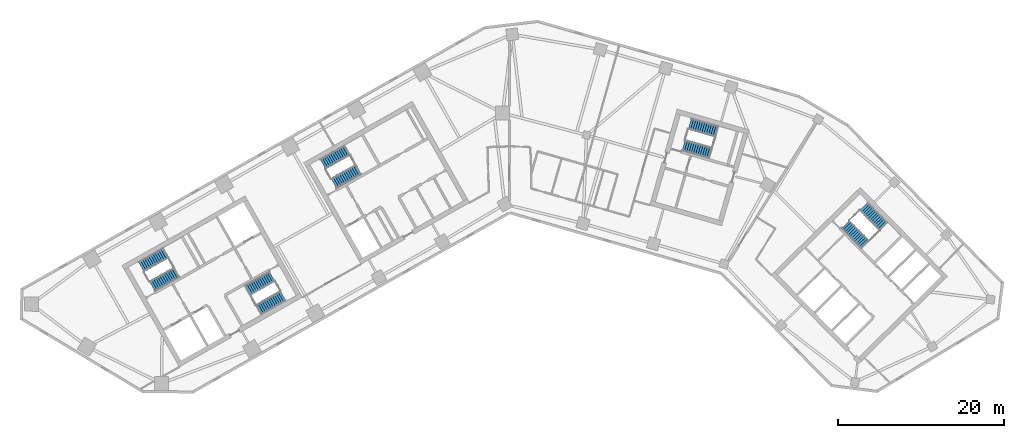
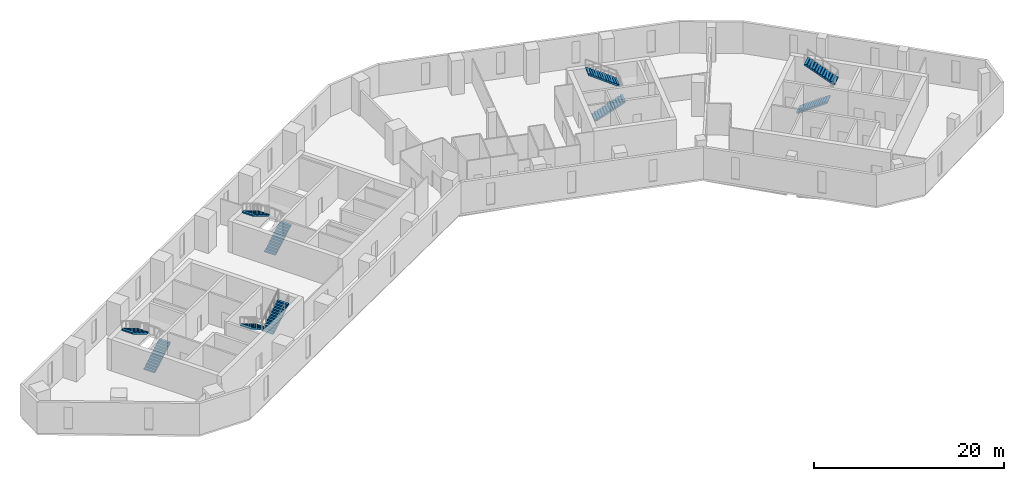
# One storey, part 8 of 10: 10 stair flights, 5 elements without a shape of their own.
"""IFC4 building model written with IfcOpenShell, lengths in metres."""

from ifc_helpers import new_model, si_unit, direction, frame, origin, place, context, subcontext, project, spatial, polyline, outline, extrude, material, type_object, element, aggregate, save


model = new_model("IFC4")

# Units and contexts
model_context = context("Model", 3, precision=1e-05, world=origin(), true_north=direction((0.0, 1.0)))
body_context = subcontext(model_context, "Body", "Model", "MODEL_VIEW")
ifc_project = project(units=[si_unit("LENGTHUNIT", "METRE"), si_unit("AREAUNIT", "SQUARE_METRE"), si_unit("VOLUMEUNIT", "CUBIC_METRE"), si_unit("PLANEANGLEUNIT", "RADIAN"), si_unit("MASSUNIT", "GRAM", prefix="KILO")], contexts=[model_context])

# Site, building, storey
site_placement = place(None, origin())
site = spatial("IfcSite", under=ifc_project, at=site_placement, CompositionType="ELEMENT")
building_placement = place(site_placement, origin())
building = spatial("IfcBuilding", under=site, at=building_placement, Name="Binnacle Exchange Tower", CompositionType="ELEMENT")
storey_placement = place(building_placement, frame((0.0, 0.0, 145.5)))
storey = spatial("IfcBuildingStorey", under=building, at=storey_placement, Name="L30", CompositionType="ELEMENT", Elevation=145.5)

# Stair, stair flights
ifc_material = material(Name="Concrete C35/45", Category="concrete")
stair_type = type_object("IfcStairType", Name="STAIR 26 RISERS 169", PredefinedType="HALF_TURN_STAIR", material=ifc_material)
stair_1_placement = place(storey_placement, origin())
stair_1 = element("IfcStair", 1, at=stair_1_placement, inside=storey, type_object=stair_type, Name="L30 Escape stair A1", PredefinedType="HALF_TURN_STAIR")
stair_flight_type = type_object("IfcStairFlightType", Name="STAIR FLIGHT 169X280", PredefinedType="STRAIGHT", material=ifc_material)
stair_flight_1_placement = place(storey_placement, frame((-42.9541015625, 39.17333984375, 0.0), z_axis=(0.0, 0.0, 1.0), x_axis=(0.870355584213, 0.492423757581, 0.0)))
stair_flight_1 = element("IfcStairFlight", 2, at=stair_flight_1_placement, type_object=stair_flight_type, Name="STA1 flight 1", NumberOfRisers=13, NumberOfTreads=12, PredefinedType="STRAIGHT", RiserHeight=0.169230769, TreadLength=0.28, context=body_context, shape_type="SweptSolid", body=[
    extrude(outline(polyline([(0.0, 0.0), (0.0, 0.169189453125), (0.280029296875, 0.169189453125), (0.280029296875, 0.33837890625), (0.56005859375, 0.33837890625), (0.56005859375, 0.5078125), (0.840087890625, 0.5078125), (0.840087890625, 0.677001953125), (1.1201171875, 0.677001953125), (1.1201171875, 0.84619140625), (1.39990234375, 0.84619140625), (1.39990234375, 1.015380859375), (1.679931640625, 1.015380859375), (1.679931640625, 1.1845703125), (1.9599609375, 1.1845703125), (1.9599609375, 1.353759765625), (2.239990234375, 1.353759765625), (2.239990234375, 1.523193359375), (2.52001953125, 1.523193359375), (2.52001953125, 1.6923828125), (2.800048828125, 1.6923828125), (2.800048828125, 1.861572265625), (3.080078125, 1.861572265625), (3.080078125, 2.03076171875), (3.360107421875, 2.03076171875), (3.360107421875, 2.199951171875), (3.360107421875, 1.855712890625), (0.289794921875, 0.0), (0.0, 0.0)])), frame((0.0, 0.675048828125, 0.0), z_axis=(0.0, -1.0, 0.0), x_axis=(1.0, 0.0, 0.0)), (0.0, 0.0, 1.0), 1.35009765625),
])
stair_flight_2_placement = place(storey_placement, frame((-41.359130859375, 43.177978515625, 2.199951171875), z_axis=(0.0, 0.0, 1.0), x_axis=(-0.870355584213, -0.492423757581, 0.0)))
stair_flight_2 = element("IfcStairFlight", 3, at=stair_flight_2_placement, type_object=stair_flight_type, Name="STA1 flight 2", NumberOfRisers=13, NumberOfTreads=12, PredefinedType="STRAIGHT", RiserHeight=0.169230769, TreadLength=0.28, context=body_context, shape_type="SweptSolid", body=[
    extrude(outline(polyline([(0.0, 0.0), (0.0, 0.169189453125), (0.280029296875, 0.169189453125), (0.280029296875, 0.33837890625), (0.56005859375, 0.33837890625), (0.56005859375, 0.5078125), (0.840087890625, 0.5078125), (0.840087890625, 0.677001953125), (1.1201171875, 0.677001953125), (1.1201171875, 0.84619140625), (1.39990234375, 0.84619140625), (1.39990234375, 1.015380859375), (1.679931640625, 1.015380859375), (1.679931640625, 1.1845703125), (1.9599609375, 1.1845703125), (1.9599609375, 1.353759765625), (2.239990234375, 1.353759765625), (2.239990234375, 1.523193359375), (2.52001953125, 1.523193359375), (2.52001953125, 1.6923828125), (2.800048828125, 1.6923828125), (2.800048828125, 1.861572265625), (3.080078125, 1.861572265625), (3.080078125, 2.03076171875), (3.360107421875, 2.03076171875), (3.360107421875, 2.199951171875), (3.360107421875, 1.855712890625), (0.289794921875, 0.0), (0.0, 0.0)])), frame((0.0, 0.675048828125, 0.0), z_axis=(0.0, -1.0, 0.0), x_axis=(1.0, 0.0, 0.0)), (0.0, 0.0, 1.0), 1.35009765625),
])
aggregate(stair_1, [stair_flight_1, stair_flight_2])

stair_2_placement = place(storey_placement, origin())
stair_2 = element("IfcStair", 4, at=stair_2_placement, inside=storey, type_object=stair_type, Name="L30 Escape stair A2", PredefinedType="HALF_TURN_STAIR")
stair_flight_3_placement = place(storey_placement, frame((-28.5732421875, 40.3583984375, 0.0), z_axis=(0.0, 0.0, 1.0), x_axis=(-0.870355584213, -0.492423757581, 0.0)))
stair_flight_3 = element("IfcStairFlight", 5, at=stair_flight_3_placement, type_object=stair_flight_type, Name="STA2 flight 1", NumberOfRisers=13, NumberOfTreads=12, PredefinedType="STRAIGHT", RiserHeight=0.169230769, TreadLength=0.28, context=body_context, shape_type="SweptSolid", body=[
    extrude(outline(polyline([(0.0, 0.0), (0.0, 0.169189453125), (0.280029296875, 0.169189453125), (0.280029296875, 0.33837890625), (0.56005859375, 0.33837890625), (0.56005859375, 0.5078125), (0.840087890625, 0.5078125), (0.840087890625, 0.677001953125), (1.1201171875, 0.677001953125), (1.1201171875, 0.84619140625), (1.39990234375, 0.84619140625), (1.39990234375, 1.015380859375), (1.679931640625, 1.015380859375), (1.679931640625, 1.1845703125), (1.9599609375, 1.1845703125), (1.9599609375, 1.353759765625), (2.239990234375, 1.353759765625), (2.239990234375, 1.523193359375), (2.52001953125, 1.523193359375), (2.52001953125, 1.6923828125), (2.800048828125, 1.6923828125), (2.800048828125, 1.861572265625), (3.080078125, 1.861572265625), (3.080078125, 2.03076171875), (3.360107421875, 2.03076171875), (3.360107421875, 2.199951171875), (3.360107421875, 1.855712890625), (0.289794921875, 0.0), (0.0, 0.0)])), frame((0.0, 0.675048828125, 0.0), z_axis=(0.0, -1.0, 0.0), x_axis=(1.0, 0.0, 0.0)), (0.0, 0.0, 1.0), 1.35009765625),
])
stair_flight_4_placement = place(storey_placement, frame((-30.16796875, 36.35400390625, 2.199951171875), z_axis=(0.0, 0.0, 1.0), x_axis=(0.870355584213, 0.492423757581, 0.0)))
stair_flight_4 = element("IfcStairFlight", 6, at=stair_flight_4_placement, type_object=stair_flight_type, Name="STA2 flight 2", NumberOfRisers=13, NumberOfTreads=12, PredefinedType="STRAIGHT", RiserHeight=0.169230769, TreadLength=0.28, context=body_context, shape_type="SweptSolid", body=[
    extrude(outline(polyline([(0.0, 0.0), (0.0, 0.169189453125), (0.280029296875, 0.169189453125), (0.280029296875, 0.33837890625), (0.56005859375, 0.33837890625), (0.56005859375, 0.5078125), (0.840087890625, 0.5078125), (0.840087890625, 0.677001953125), (1.1201171875, 0.677001953125), (1.1201171875, 0.84619140625), (1.39990234375, 0.84619140625), (1.39990234375, 1.015380859375), (1.679931640625, 1.015380859375), (1.679931640625, 1.1845703125), (1.9599609375, 1.1845703125), (1.9599609375, 1.353759765625), (2.239990234375, 1.353759765625), (2.239990234375, 1.523193359375), (2.52001953125, 1.523193359375), (2.52001953125, 1.6923828125), (2.800048828125, 1.6923828125), (2.800048828125, 1.861572265625), (3.080078125, 1.861572265625), (3.080078125, 2.03076171875), (3.360107421875, 2.03076171875), (3.360107421875, 2.199951171875), (3.360107421875, 1.855712890625), (0.289794921875, 0.0), (0.0, 0.0)])), frame((0.0, 0.675048828125, 0.0), z_axis=(0.0, -1.0, 0.0), x_axis=(1.0, 0.0, 0.0)), (0.0, 0.0, 1.0), 1.35009765625),
])
aggregate(stair_2, [stair_flight_3, stair_flight_4])

stair_3_placement = place(storey_placement, origin())
stair_3 = element("IfcStair", 7, at=stair_3_placement, inside=storey, type_object=stair_type, Name="L30 Escape stair B1", PredefinedType="HALF_TURN_STAIR")
stair_flight_5_placement = place(storey_placement, frame((40.376708984375, 46.608642578125, 0.0), z_axis=(0.0, 0.0, 1.0), x_axis=(0.70090935144, -0.713250363522, 0.0)))
stair_flight_5 = element("IfcStairFlight", 8, at=stair_flight_5_placement, type_object=stair_flight_type, Name="STB1 flight 1", NumberOfRisers=13, NumberOfTreads=12, PredefinedType="STRAIGHT", RiserHeight=0.169230769, TreadLength=0.28, context=body_context, shape_type="SweptSolid", body=[
    extrude(outline(polyline([(0.0, 0.0), (0.0, 0.169189453125), (0.280029296875, 0.169189453125), (0.280029296875, 0.33837890625), (0.56005859375, 0.33837890625), (0.56005859375, 0.5078125), (0.840087890625, 0.5078125), (0.840087890625, 0.677001953125), (1.1201171875, 0.677001953125), (1.1201171875, 0.84619140625), (1.39990234375, 0.84619140625), (1.39990234375, 1.015380859375), (1.679931640625, 1.015380859375), (1.679931640625, 1.1845703125), (1.9599609375, 1.1845703125), (1.9599609375, 1.353759765625), (2.239990234375, 1.353759765625), (2.239990234375, 1.523193359375), (2.52001953125, 1.523193359375), (2.52001953125, 1.6923828125), (2.800048828125, 1.6923828125), (2.800048828125, 1.861572265625), (3.080078125, 1.861572265625), (3.080078125, 2.03076171875), (3.360107421875, 2.03076171875), (3.360107421875, 2.199951171875), (3.360107421875, 1.855712890625), (0.289794921875, 0.0), (0.0, 0.0)])), frame((0.0, 0.675048828125, 0.0), z_axis=(0.0, -1.0, 0.0), x_axis=(1.0, 0.0, 0.0)), (0.0, 0.0, 1.0), 1.35009765625),
])
stair_flight_6_placement = place(storey_placement, frame((44.94287109375, 46.385009765625, 2.199951171875), z_axis=(0.0, 0.0, 1.0), x_axis=(-0.70090935144, 0.713250363522, 0.0)))
stair_flight_6 = element("IfcStairFlight", 9, at=stair_flight_6_placement, type_object=stair_flight_type, Name="STB1 flight 2", NumberOfRisers=13, NumberOfTreads=12, PredefinedType="STRAIGHT", RiserHeight=0.169230769, TreadLength=0.28, context=body_context, shape_type="SweptSolid", body=[
    extrude(outline(polyline([(0.0, 0.0), (0.0, 0.169189453125), (0.280029296875, 0.169189453125), (0.280029296875, 0.33837890625), (0.56005859375, 0.33837890625), (0.56005859375, 0.5078125), (0.840087890625, 0.5078125), (0.840087890625, 0.677001953125), (1.1201171875, 0.677001953125), (1.1201171875, 0.84619140625), (1.39990234375, 0.84619140625), (1.39990234375, 1.015380859375), (1.679931640625, 1.015380859375), (1.679931640625, 1.1845703125), (1.9599609375, 1.1845703125), (1.9599609375, 1.353759765625), (2.239990234375, 1.353759765625), (2.239990234375, 1.523193359375), (2.52001953125, 1.523193359375), (2.52001953125, 1.6923828125), (2.800048828125, 1.6923828125), (2.800048828125, 1.861572265625), (3.080078125, 1.861572265625), (3.080078125, 2.03076171875), (3.360107421875, 2.03076171875), (3.360107421875, 2.199951171875), (3.360107421875, 1.855712890625), (0.289794921875, 0.0), (0.0, 0.0)])), frame((0.0, 0.675048828125, 0.0), z_axis=(0.0, -1.0, 0.0), x_axis=(1.0, 0.0, 0.0)), (0.0, 0.0, 1.0), 1.35009765625),
])
aggregate(stair_3, [stair_flight_5, stair_flight_6])

stair_4_placement = place(storey_placement, origin())
stair_4 = element("IfcStair", 10, at=stair_4_placement, inside=storey, type_object=stair_type, Name="L30 Escape stair C1", PredefinedType="HALF_TURN_STAIR")
stair_flight_7_placement = place(storey_placement, frame((-21.115966796875, 51.528564453125, 0.0), z_axis=(0.0, 0.0, 1.0), x_axis=(0.870355584213, 0.492423757581, 0.0)))
stair_flight_7 = element("IfcStairFlight", 11, at=stair_flight_7_placement, type_object=stair_flight_type, Name="STC1 flight 1", NumberOfRisers=13, NumberOfTreads=12, PredefinedType="STRAIGHT", RiserHeight=0.169230769, TreadLength=0.28, context=body_context, shape_type="SweptSolid", body=[
    extrude(outline(polyline([(0.0, 0.0), (0.0, 0.169189453125), (0.280029296875, 0.169189453125), (0.280029296875, 0.33837890625), (0.56005859375, 0.33837890625), (0.56005859375, 0.5078125), (0.840087890625, 0.5078125), (0.840087890625, 0.677001953125), (1.1201171875, 0.677001953125), (1.1201171875, 0.84619140625), (1.39990234375, 0.84619140625), (1.39990234375, 1.015380859375), (1.679931640625, 1.015380859375), (1.679931640625, 1.1845703125), (1.9599609375, 1.1845703125), (1.9599609375, 1.353759765625), (2.239990234375, 1.353759765625), (2.239990234375, 1.523193359375), (2.52001953125, 1.523193359375), (2.52001953125, 1.6923828125), (2.800048828125, 1.6923828125), (2.800048828125, 1.861572265625), (3.080078125, 1.861572265625), (3.080078125, 2.03076171875), (3.360107421875, 2.03076171875), (3.360107421875, 2.199951171875), (3.360107421875, 1.855712890625), (0.289794921875, 0.0), (0.0, 0.0)])), frame((0.0, 0.675048828125, 0.0), z_axis=(0.0, -1.0, 0.0), x_axis=(1.0, 0.0, 0.0)), (0.0, 0.0, 1.0), 1.35009765625),
])
stair_flight_8_placement = place(storey_placement, frame((-19.521240234375, 55.533203125, 2.199951171875), z_axis=(0.0, 0.0, 1.0), x_axis=(-0.870355584213, -0.492423757581, 0.0)))
stair_flight_8 = element("IfcStairFlight", 12, at=stair_flight_8_placement, type_object=stair_flight_type, Name="STC1 flight 2", NumberOfRisers=13, NumberOfTreads=12, PredefinedType="STRAIGHT", RiserHeight=0.169230769, TreadLength=0.28, context=body_context, shape_type="SweptSolid", body=[
    extrude(outline(polyline([(0.0, 0.0), (0.0, 0.169189453125), (0.280029296875, 0.169189453125), (0.280029296875, 0.33837890625), (0.56005859375, 0.33837890625), (0.56005859375, 0.5078125), (0.840087890625, 0.5078125), (0.840087890625, 0.677001953125), (1.1201171875, 0.677001953125), (1.1201171875, 0.84619140625), (1.39990234375, 0.84619140625), (1.39990234375, 1.015380859375), (1.679931640625, 1.015380859375), (1.679931640625, 1.1845703125), (1.9599609375, 1.1845703125), (1.9599609375, 1.353759765625), (2.239990234375, 1.353759765625), (2.239990234375, 1.523193359375), (2.52001953125, 1.523193359375), (2.52001953125, 1.6923828125), (2.800048828125, 1.6923828125), (2.800048828125, 1.861572265625), (3.080078125, 1.861572265625), (3.080078125, 2.03076171875), (3.360107421875, 2.03076171875), (3.360107421875, 2.199951171875), (3.360107421875, 1.855712890625), (0.289794921875, 0.0), (0.0, 0.0)])), frame((0.0, 0.675048828125, 0.0), z_axis=(0.0, -1.0, 0.0), x_axis=(1.0, 0.0, 0.0)), (0.0, 0.0, 1.0), 1.35009765625),
])
aggregate(stair_4, [stair_flight_7, stair_flight_8])

stair_5_placement = place(storey_placement, origin())
stair_5 = element("IfcStair", 13, at=stair_5_placement, inside=storey, type_object=stair_type, Name="L30 Escape stair D1", PredefinedType="HALF_TURN_STAIR")
stair_flight_9_placement = place(storey_placement, frame((20.914306640625, 56.109619140625, 0.0), z_axis=(0.0, 0.0, 1.0), x_axis=(0.961261811397, -0.275636953165, 0.0)))
stair_flight_9 = element("IfcStairFlight", 14, at=stair_flight_9_placement, type_object=stair_flight_type, Name="STD1 flight 1", NumberOfRisers=13, NumberOfTreads=12, PredefinedType="STRAIGHT", RiserHeight=0.169230769, TreadLength=0.28, context=body_context, shape_type="SweptSolid", body=[
    extrude(outline(polyline([(0.0, 0.0), (0.0, 0.169189453125), (0.280029296875, 0.169189453125), (0.280029296875, 0.33837890625), (0.56005859375, 0.33837890625), (0.56005859375, 0.5078125), (0.840087890625, 0.5078125), (0.840087890625, 0.677001953125), (1.1201171875, 0.677001953125), (1.1201171875, 0.84619140625), (1.39990234375, 0.84619140625), (1.39990234375, 1.015380859375), (1.679931640625, 1.015380859375), (1.679931640625, 1.1845703125), (1.9599609375, 1.1845703125), (1.9599609375, 1.353759765625), (2.239990234375, 1.353759765625), (2.239990234375, 1.523193359375), (2.52001953125, 1.523193359375), (2.52001953125, 1.6923828125), (2.800048828125, 1.6923828125), (2.800048828125, 1.861572265625), (3.080078125, 1.861572265625), (3.080078125, 2.03076171875), (3.360107421875, 2.03076171875), (3.360107421875, 2.199951171875), (3.360107421875, 1.855712890625), (0.289794921875, 0.0), (0.0, 0.0)])), frame((0.0, 0.675048828125, 0.0), z_axis=(0.0, -1.0, 0.0), x_axis=(1.0, 0.0, 0.0)), (0.0, 0.0, 1.0), 1.35009765625),
])
stair_flight_10_placement = place(storey_placement, frame((24.888427734375, 57.77880859375, 2.199951171875), z_axis=(0.0, 0.0, 1.0), x_axis=(-0.961261811397, 0.275636953165, 0.0)))
stair_flight_10 = element("IfcStairFlight", 15, at=stair_flight_10_placement, type_object=stair_flight_type, Name="STD1 flight 2", NumberOfRisers=13, NumberOfTreads=12, PredefinedType="STRAIGHT", RiserHeight=0.169230769, TreadLength=0.28, context=body_context, shape_type="SweptSolid", body=[
    extrude(outline(polyline([(0.0, 0.0), (0.0, 0.169189453125), (0.280029296875, 0.169189453125), (0.280029296875, 0.33837890625), (0.56005859375, 0.33837890625), (0.56005859375, 0.5078125), (0.840087890625, 0.5078125), (0.840087890625, 0.677001953125), (1.1201171875, 0.677001953125), (1.1201171875, 0.84619140625), (1.39990234375, 0.84619140625), (1.39990234375, 1.015380859375), (1.679931640625, 1.015380859375), (1.679931640625, 1.1845703125), (1.9599609375, 1.1845703125), (1.9599609375, 1.353759765625), (2.239990234375, 1.353759765625), (2.239990234375, 1.523193359375), (2.52001953125, 1.523193359375), (2.52001953125, 1.6923828125), (2.800048828125, 1.6923828125), (2.800048828125, 1.861572265625), (3.080078125, 1.861572265625), (3.080078125, 2.03076171875), (3.360107421875, 2.03076171875), (3.360107421875, 2.199951171875), (3.360107421875, 1.855712890625), (0.289794921875, 0.0), (0.0, 0.0)])), frame((0.0, 0.675048828125, 0.0), z_axis=(0.0, -1.0, 0.0), x_axis=(1.0, 0.0, 0.0)), (0.0, 0.0, 1.0), 1.35009765625),
])
aggregate(stair_5, [stair_flight_9, stair_flight_10])

save(model, "model.ifc")
